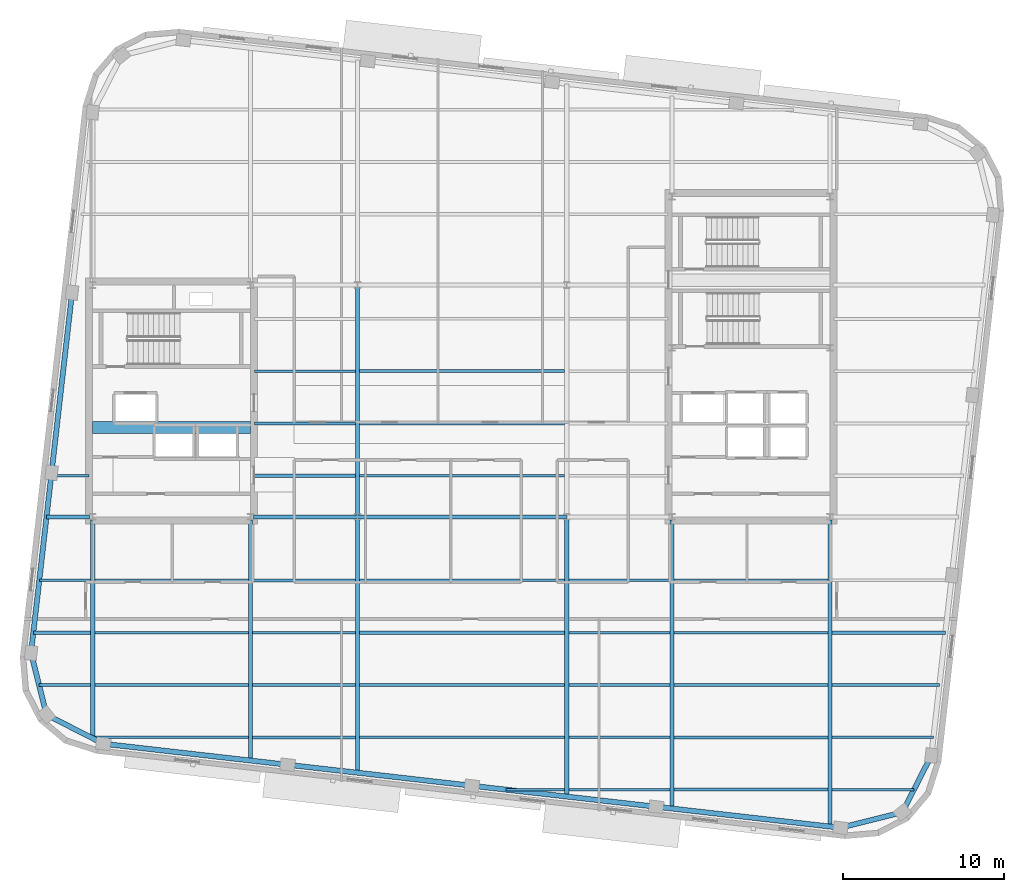
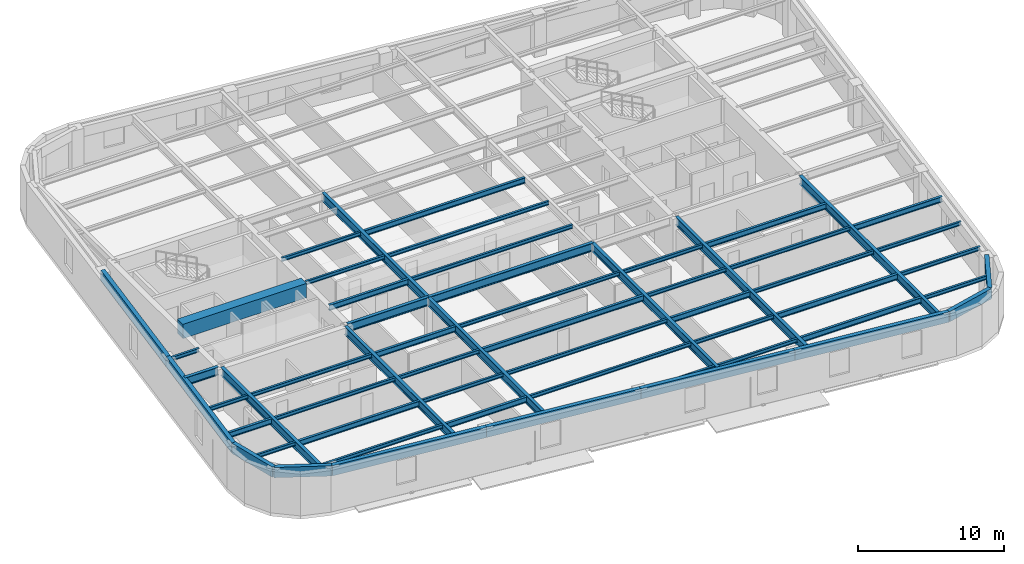
# One storey, part 3 of 13: 58 beams.
"""IFC4 building model written with IfcOpenShell, lengths in metres."""

from ifc_helpers import new_model, si_unit, direction, frame, origin, origin_2d, place, context, subcontext, project, spatial, rectangle, hollow_rectangle, i_section, extrude, material, material_profile, profile_set, type_object, element, save


model = new_model("IFC4")

# Units and contexts
model_context = context("Model", 3, precision=1e-05, world=origin(), true_north=direction((0.0, 1.0)))
body_context = subcontext(model_context, "Body", "Model", "MODEL_VIEW")
ifc_project = project(units=[si_unit("LENGTHUNIT", "METRE"), si_unit("AREAUNIT", "SQUARE_METRE"), si_unit("VOLUMEUNIT", "CUBIC_METRE"), si_unit("PLANEANGLEUNIT", "RADIAN"), si_unit("MASSUNIT", "GRAM", prefix="KILO")], contexts=[model_context])

# Site, building, storey
site_placement = place(None, origin())
site = spatial("IfcSite", under=ifc_project, at=site_placement, CompositionType="ELEMENT")
building_placement = place(site_placement, origin())
building = spatial("IfcBuilding", under=site, at=building_placement, Name="Kolvaren Arena Tower", CompositionType="ELEMENT")
storey_placement = place(building_placement, frame((0.0, 0.0, 243.449951171875)))
storey = spatial("IfcBuildingStorey", under=building, at=storey_placement, Name="L59", CompositionType="ELEMENT", Elevation=243.449951171875)

# Beams
ifc_material_1 = material(Name="Steel CSA G40.21 350W", Category="steel")
ifc_material_profile_1 = material_profile(ifc_material_1, i_section(OverallWidth=0.193115234375, OverallDepth=0.462890625, WebThickness=0.0107421875, FlangeThickness=0.0205078125, FilletRadius=0.012939453125, at=origin_2d()), Name="W460x113")
ifc_profile_set_1 = profile_set([ifc_material_profile_1], Name="Steel CSA G40.21 350W")
beam_type_1 = type_object("IfcBeamType", Name="BEAM-F2", PredefinedType="BEAM", material=ifc_profile_set_1)
beam_1_placement = place(storey_placement, frame((50.677490234375, 2.5, 3.24853515625), z_axis=(1.0, 0.0, 0.0), x_axis=(0.0, 1.0, 0.0)))
element("IfcBeam", 1, at=beam_1_placement, inside=storey, type_object=beam_type_1, Name="Composite Floor Beam (L59)", PredefinedType="BEAM", context=body_context, shape_type="SweptSolid", body=[
    extrude(i_section(OverallWidth=0.193115234375, OverallDepth=0.462890625, WebThickness=0.0107421875, FlangeThickness=0.0205078125, FilletRadius=0.012939453125, at=origin_2d()), origin(), (0.0, 0.0, 1.0), 9.544921875),
])
beam_2_placement = place(storey_placement, frame((24.4775390625, 5.75, 3.24853515625), z_axis=(1.0, 0.0, 0.0), x_axis=(0.0, 1.0, 0.0)))
element("IfcBeam", 2, at=beam_2_placement, inside=storey, type_object=beam_type_1, Name="Composite Floor Beam (L59)", PredefinedType="BEAM", context=body_context, shape_type="SweptSolid", body=[
    extrude(i_section(OverallWidth=0.193115234375, OverallDepth=0.462890625, WebThickness=0.0107421875, FlangeThickness=0.0205078125, FilletRadius=0.012939453125, at=origin_2d()), origin(), (0.0, 0.0, 1.0), 6.39501953125),
])
for number, where, z_axis, x_axis, name in (
    (3, (50.677490234375, 5.75, 3.24853515625), (1.0, 0.0, 0.0), (0.0, 1.0, 0.0), "Composite Floor Beam (L59)"),
    (4, (14.677490234375, 9.0, 3.24853515625), (1.0, 0.0, 0.0), (0.0, 1.0, 0.0), "Composite Floor Beam (L59)"),
):
    element("IfcBeam", number, at=place(storey_placement, frame(where, z_axis=z_axis, x_axis=x_axis)), inside=storey, type_object=beam_type_1, Name=name, PredefinedType="BEAM", context=body_context, shape_type="SweptSolid", body=[
        extrude(i_section(OverallWidth=0.193115234375, OverallDepth=0.462890625, WebThickness=0.0107421875, FlangeThickness=0.0205078125, FilletRadius=0.012939453125, at=origin_2d()), origin(), (0.0, 0.0, 1.0), 9.544921875),
    ])
beam_3_placement = place(storey_placement, frame((44.12744140625, 9.0, 3.24853515625), z_axis=(1.0, 0.0, 0.0), x_axis=(0.0, 1.0, 0.0)))
element("IfcBeam", 5, at=beam_3_placement, inside=storey, type_object=beam_type_1, Name="Composite Floor Beam (L59)", PredefinedType="BEAM", context=body_context, shape_type="SweptSolid", body=[
    extrude(i_section(OverallWidth=0.193115234375, OverallDepth=0.462890625, WebThickness=0.0107421875, FlangeThickness=0.0205078125, FilletRadius=0.012939453125, at=origin_2d()), origin(), (0.0, 0.0, 1.0), 6.295166015625),
])
beam_4_placement = place(storey_placement, frame((10.86083984375, 12.25, 3.24853515625), z_axis=(1.0, 0.0, 0.0), x_axis=(0.0, 1.0, 0.0)))
element("IfcBeam", 6, at=beam_4_placement, inside=storey, type_object=beam_type_1, Name="Composite Floor Beam (L59)", PredefinedType="BEAM", context=body_context, shape_type="SweptSolid", body=[
    extrude(i_section(OverallWidth=0.193115234375, OverallDepth=0.462890625, WebThickness=0.0107421875, FlangeThickness=0.0205078125, FilletRadius=0.012939453125, at=origin_2d()), origin(), (0.0, 0.0, 1.0), 3.561767578125),
])
beam_5_placement = place(storey_placement, frame((31.12744140625, 12.25, 3.24853515625), z_axis=(1.0, 0.0, 0.0), x_axis=(0.0, 1.0, 0.0)))
element("IfcBeam", 7, at=beam_5_placement, inside=storey, type_object=beam_type_1, Name="Composite Floor Beam (L59)", PredefinedType="BEAM", context=body_context, shape_type="SweptSolid", body=[
    extrude(i_section(OverallWidth=0.193115234375, OverallDepth=0.462890625, WebThickness=0.0107421875, FlangeThickness=0.0205078125, FilletRadius=0.012939453125, at=origin_2d()), origin(), (0.0, 0.0, 1.0), 12.7451171875),
])
beam_6_placement = place(storey_placement, frame((60.4775390625, 12.25, 3.24853515625), z_axis=(1.0, 0.0, 0.0), x_axis=(0.0, 1.0, 0.0)))
element("IfcBeam", 8, at=beam_6_placement, inside=storey, type_object=beam_type_1, Name="Composite Floor Beam (L59)", PredefinedType="BEAM", context=body_context, shape_type="SweptSolid", body=[
    extrude(i_section(OverallWidth=0.193115234375, OverallDepth=0.462890625, WebThickness=0.0107421875, FlangeThickness=0.0205078125, FilletRadius=0.012939453125, at=origin_2d()), origin(), (0.0, 0.0, 1.0), 7.04736328125),
])
beam_7_placement = place(storey_placement, frame((24.4775390625, 15.5, 3.24853515625), z_axis=(1.0, 0.0, 0.0), x_axis=(0.0, 1.0, 0.0)))
element("IfcBeam", 9, at=beam_7_placement, inside=storey, type_object=beam_type_1, Name="Composite Floor Beam (L59)", PredefinedType="BEAM", context=body_context, shape_type="SweptSolid", body=[
    extrude(i_section(OverallWidth=0.193115234375, OverallDepth=0.462890625, WebThickness=0.0107421875, FlangeThickness=0.0205078125, FilletRadius=0.012939453125, at=origin_2d()), origin(), (0.0, 0.0, 1.0), 6.39501953125),
])
beam_8_placement = place(storey_placement, frame((50.677490234375, 15.5, 3.24853515625), z_axis=(1.0, 0.0, 0.0), x_axis=(0.0, 1.0, 0.0)))
element("IfcBeam", 10, at=beam_8_placement, inside=storey, type_object=beam_type_1, Name="Composite Floor Beam (L59)", PredefinedType="BEAM", context=body_context, shape_type="SweptSolid", body=[
    extrude(i_section(OverallWidth=0.193115234375, OverallDepth=0.462890625, WebThickness=0.0107421875, FlangeThickness=0.0205078125, FilletRadius=0.012939453125, at=origin_2d()), origin(), (0.0, 0.0, 1.0), 9.544921875),
])
beam_9_placement = place(storey_placement, frame((24.594970703125, 22.0, 3.24853515625), z_axis=(1.0, 0.0, 0.0), x_axis=(0.0, 1.0, 0.0)))
element("IfcBeam", 11, at=beam_9_placement, inside=storey, type_object=beam_type_1, Name="Composite Floor Beam (L59)", PredefinedType="BEAM", context=body_context, shape_type="SweptSolid", body=[
    extrude(i_section(OverallWidth=0.193115234375, OverallDepth=0.462890625, WebThickness=0.0107421875, FlangeThickness=0.0205078125, FilletRadius=0.012939453125, at=origin_2d()), origin(), (0.0, 0.0, 1.0), 6.277587890625),
])
beam_10_placement = place(storey_placement, frame((31.12744140625, 28.5, 3.24853515625), z_axis=(1.0, 0.0, 0.0), x_axis=(0.0, 1.0, 0.0)))
element("IfcBeam", 12, at=beam_10_placement, inside=storey, type_object=beam_type_1, Name="Composite Floor Beam (L59)", PredefinedType="BEAM", context=body_context, shape_type="SweptSolid", body=[
    extrude(i_section(OverallWidth=0.193115234375, OverallDepth=0.462890625, WebThickness=0.0107421875, FlangeThickness=0.0205078125, FilletRadius=0.012939453125, at=origin_2d()), origin(), (0.0, 0.0, 1.0), 12.7451171875),
])
ifc_material_2 = material(Name="Concrete 60 MPa", Category="concrete")
ifc_material_profile_2 = material_profile(ifc_material_2, rectangle(XDim=0.75, YDim=1.199951171875, at=origin_2d()), Name="RC-750x1200")
ifc_profile_set_2 = profile_set([ifc_material_profile_2], Name="Concrete 60 MPa")
beam_type_2 = type_object("IfcBeamType", Name="CB-CORE-2", PredefinedType="BEAM", material=ifc_profile_set_2)
beam_11_placement = place(storey_placement, frame((14.550048828125, 25.0, 3.150146484375), z_axis=(1.0, 0.0, 0.0), x_axis=(0.0, 1.0, 0.0)))
element("IfcBeam", 13, at=beam_11_placement, inside=storey, type_object=beam_type_2, Name="West Core Coupling Beam (L59)", PredefinedType="BEAM", context=body_context, shape_type="SweptSolid", body=[
    extrude(rectangle(XDim=0.75, YDim=1.199951171875, at=origin_2d()), origin(), (0.0, 0.0, 1.0), 9.800048828125),
])
ifc_material_profile_3 = material_profile(ifc_material_1, i_section(OverallWidth=0.2548828125, OverallDepth=0.695068359375, WebThickness=0.01708984375, FlangeThickness=0.02978515625, FilletRadius=0.01611328125, at=origin_2d()), Name="W690x217")
ifc_profile_set_3 = profile_set([ifc_material_profile_3], Name="Steel CSA G40.21 350W")
beam_type_3 = type_object("IfcBeamType", Name="GIRD-T2", PredefinedType="BEAM", material=ifc_profile_set_3)
beam_12_placement = place(storey_placement, frame((11.68115234375, 19.449951171875, 3.132568359375), z_axis=(1.0, 0.0, 0.0), x_axis=(0.0, 1.0, 0.0)))
element("IfcBeam", 14, at=beam_12_placement, inside=storey, type_object=beam_type_3, Name="Primary Floor Girder (L59)", PredefinedType="BEAM", context=body_context, shape_type="SweptSolid", body=[
    extrude(i_section(OverallWidth=0.2548828125, OverallDepth=0.695068359375, WebThickness=0.01708984375, FlangeThickness=0.02978515625, FilletRadius=0.01611328125, at=origin_2d()), origin(), (0.0, 0.0, 1.0), 2.663818359375),
])
beam_13_placement = place(storey_placement, frame((24.554931640625, 19.449951171875, 3.132568359375), z_axis=(1.0, 0.0, 0.0), x_axis=(0.0, 1.0, 0.0)))
element("IfcBeam", 15, at=beam_13_placement, inside=storey, type_object=beam_type_3, Name="Primary Floor Girder (L59)", PredefinedType="BEAM", context=body_context, shape_type="SweptSolid", body=[
    extrude(i_section(OverallWidth=0.2548828125, OverallDepth=0.695068359375, WebThickness=0.01708984375, FlangeThickness=0.02978515625, FilletRadius=0.01611328125, at=origin_2d()), origin(), (0.0, 0.0, 1.0), 6.445068359375),
])
beam_14_placement = place(storey_placement, frame((31.0, 19.449951171875, 3.132568359375), z_axis=(1.0, 0.0, 0.0), x_axis=(0.0, 1.0, 0.0)))
element("IfcBeam", 16, at=beam_14_placement, inside=storey, type_object=beam_type_3, Name="Primary Floor Girder (L59)", PredefinedType="BEAM", context=body_context, shape_type="SweptSolid", body=[
    extrude(i_section(OverallWidth=0.2548828125, OverallDepth=0.695068359375, WebThickness=0.01708984375, FlangeThickness=0.02978515625, FilletRadius=0.01611328125, at=origin_2d()), origin(), (0.0, 0.0, 1.0), 13.0),
])
beam_15_placement = place(storey_placement, frame((14.550048828125, 5.686767578125, 3.132568359375), z_axis=(0.0, 1.0, 0.0), x_axis=(-1.0, 0.0, 0.0)))
element("IfcBeam", 17, at=beam_15_placement, inside=storey, type_object=beam_type_3, Name="Primary Floor Girder (L59)", PredefinedType="BEAM", context=body_context, shape_type="SweptSolid", body=[
    extrude(i_section(OverallWidth=0.2548828125, OverallDepth=0.695068359375, WebThickness=0.01708984375, FlangeThickness=0.02978515625, FilletRadius=0.01611328125, at=origin_2d()), origin(), (0.0, 0.0, 1.0), 13.558349609375),
])
beam_16_placement = place(storey_placement, frame((24.35009765625, 4.30908203125, 3.132568359375), z_axis=(0.0, 1.0, 0.0), x_axis=(-1.0, 0.0, 0.0)))
element("IfcBeam", 18, at=beam_16_placement, inside=storey, type_object=beam_type_3, Name="Primary Floor Girder (L59)", PredefinedType="BEAM", context=body_context, shape_type="SweptSolid", body=[
    extrude(i_section(OverallWidth=0.2548828125, OverallDepth=0.695068359375, WebThickness=0.01708984375, FlangeThickness=0.02978515625, FilletRadius=0.01611328125, at=origin_2d()), origin(), (0.0, 0.0, 1.0), 14.93603515625),
])
beam_17_placement = place(storey_placement, frame((31.0, 3.551513671875, 3.132568359375), z_axis=(0.0, 1.0, 0.0), x_axis=(-1.0, 0.0, 0.0)))
element("IfcBeam", 19, at=beam_17_placement, inside=storey, type_object=beam_type_3, Name="Primary Floor Girder (L59)", PredefinedType="BEAM", context=body_context, shape_type="SweptSolid", body=[
    extrude(i_section(OverallWidth=0.2548828125, OverallDepth=0.695068359375, WebThickness=0.01708984375, FlangeThickness=0.02978515625, FilletRadius=0.01611328125, at=origin_2d()), origin(), (0.0, 0.0, 1.0), 15.8984375),
])
beam_18_placement = place(storey_placement, frame((31.0, 19.449951171875, 3.132568359375), z_axis=(0.0, 1.0, 0.0), x_axis=(-1.0, 0.0, 0.0)))
element("IfcBeam", 20, at=beam_18_placement, inside=storey, type_object=beam_type_3, Name="Primary Floor Girder (L59)", PredefinedType="BEAM", context=body_context, shape_type="SweptSolid", body=[
    extrude(i_section(OverallWidth=0.2548828125, OverallDepth=0.695068359375, WebThickness=0.01708984375, FlangeThickness=0.02978515625, FilletRadius=0.01611328125, at=origin_2d()), origin(), (0.0, 0.0, 1.0), 14.400146484375),
])
beam_19_placement = place(storey_placement, frame((44.0, 2.0703125, 3.132568359375), z_axis=(0.0, 1.0, 0.0), x_axis=(-1.0, 0.0, 0.0)))
element("IfcBeam", 21, at=beam_19_placement, inside=storey, type_object=beam_type_3, Name="Primary Floor Girder (L59)", PredefinedType="BEAM", context=body_context, shape_type="SweptSolid", body=[
    extrude(i_section(OverallWidth=0.2548828125, OverallDepth=0.695068359375, WebThickness=0.01708984375, FlangeThickness=0.02978515625, FilletRadius=0.01611328125, at=origin_2d()), origin(), (0.0, 0.0, 1.0), 17.379638671875),
])
beam_20_placement = place(storey_placement, frame((50.550048828125, 1.323974609375, 3.132568359375), z_axis=(0.0, 1.0, 0.0), x_axis=(-1.0, 0.0, 0.0)))
element("IfcBeam", 22, at=beam_20_placement, inside=storey, type_object=beam_type_3, Name="Primary Floor Girder (L59)", PredefinedType="BEAM", context=body_context, shape_type="SweptSolid", body=[
    extrude(i_section(OverallWidth=0.2548828125, OverallDepth=0.695068359375, WebThickness=0.01708984375, FlangeThickness=0.02978515625, FilletRadius=0.01611328125, at=origin_2d()), origin(), (0.0, 0.0, 1.0), 17.921142578125),
])
beam_21_placement = place(storey_placement, frame((60.35009765625, 0.20751953125, 3.132568359375), z_axis=(0.0, 1.0, 0.0), x_axis=(-1.0, 0.0, 0.0)))
element("IfcBeam", 23, at=beam_21_placement, inside=storey, type_object=beam_type_3, Name="Primary Floor Girder (L59)", PredefinedType="BEAM", context=body_context, shape_type="SweptSolid", body=[
    extrude(i_section(OverallWidth=0.2548828125, OverallDepth=0.695068359375, WebThickness=0.01708984375, FlangeThickness=0.02978515625, FilletRadius=0.01611328125, at=origin_2d()), origin(), (0.0, 0.0, 1.0), 19.03759765625),
])
ifc_material_profile_4 = material_profile(ifc_material_1, i_section(OverallWidth=0.1669921875, OverallDepth=0.31689453125, WebThickness=0.007568359375, FlangeThickness=0.01318359375, FilletRadius=0.010009765625, at=origin_2d()), Name="W310x52")
ifc_profile_set_4 = profile_set([ifc_material_profile_4], Name="Steel CSA G40.21 350W")
beam_type_4 = type_object("IfcBeamType", Name="JOIST-02", PredefinedType="JOIST", material=ifc_profile_set_4)
beam_22_placement = place(storey_placement, frame((40.228271484375, 2.5, 3.321533203125), z_axis=(1.0, 0.0, 0.0), x_axis=(0.0, 1.0, 0.0)))
element("IfcBeam", 24, at=beam_22_placement, inside=storey, type_object=beam_type_4, Name="Composite Floor Joist (L59)", PredefinedType="JOIST", context=body_context, shape_type="SweptSolid", body=[
    extrude(i_section(OverallWidth=0.1669921875, OverallDepth=0.31689453125, WebThickness=0.007568359375, FlangeThickness=0.01318359375, FilletRadius=0.010009765625, at=origin_2d()), origin(), (0.0, 0.0, 1.0), 3.644287109375),
])
beam_23_placement = place(storey_placement, frame((44.12744140625, 2.5, 3.321533203125), z_axis=(1.0, 0.0, 0.0), x_axis=(0.0, 1.0, 0.0)))
element("IfcBeam", 25, at=beam_23_placement, inside=storey, type_object=beam_type_4, Name="Composite Floor Joist (L59)", PredefinedType="JOIST", context=body_context, shape_type="SweptSolid", body=[
    extrude(i_section(OverallWidth=0.1669921875, OverallDepth=0.31689453125, WebThickness=0.007568359375, FlangeThickness=0.01318359375, FilletRadius=0.010009765625, at=origin_2d()), origin(), (0.0, 0.0, 1.0), 6.295166015625),
])
beam_24_placement = place(storey_placement, frame((60.4775390625, 2.5, 3.321533203125), z_axis=(1.0, 0.0, 0.0), x_axis=(0.0, 1.0, 0.0)))
element("IfcBeam", 26, at=beam_24_placement, inside=storey, type_object=beam_type_4, Name="Composite Floor Joist (L59)", PredefinedType="JOIST", context=body_context, shape_type="SweptSolid", body=[
    extrude(i_section(OverallWidth=0.1669921875, OverallDepth=0.31689453125, WebThickness=0.007568359375, FlangeThickness=0.01318359375, FilletRadius=0.010009765625, at=origin_2d()), origin(), (0.0, 0.0, 1.0), 5.09423828125),
])
beam_25_placement = place(storey_placement, frame((14.42626953125, 5.75, 3.321533203125), z_axis=(1.0, 0.0, 0.0), x_axis=(0.0, 1.0, 0.0)))
element("IfcBeam", 27, at=beam_25_placement, inside=storey, type_object=beam_type_4, Name="Composite Floor Joist (L59)", PredefinedType="JOIST", context=body_context, shape_type="SweptSolid", body=[
    extrude(i_section(OverallWidth=0.1669921875, OverallDepth=0.31689453125, WebThickness=0.007568359375, FlangeThickness=0.01318359375, FilletRadius=0.010009765625, at=origin_2d()), origin(), (0.0, 0.0, 1.0), 9.796142578125),
])
beam_26_placement = place(storey_placement, frame((31.12744140625, 5.75, 3.321533203125), z_axis=(1.0, 0.0, 0.0), x_axis=(0.0, 1.0, 0.0)))
element("IfcBeam", 28, at=beam_26_placement, inside=storey, type_object=beam_type_4, Name="Composite Floor Joist (L59)", PredefinedType="JOIST", context=body_context, shape_type="SweptSolid", body=[
    extrude(i_section(OverallWidth=0.1669921875, OverallDepth=0.31689453125, WebThickness=0.007568359375, FlangeThickness=0.01318359375, FilletRadius=0.010009765625, at=origin_2d()), origin(), (0.0, 0.0, 1.0), 12.7451171875),
])
beam_27_placement = place(storey_placement, frame((44.12744140625, 5.75, 3.321533203125), z_axis=(1.0, 0.0, 0.0), x_axis=(0.0, 1.0, 0.0)))
element("IfcBeam", 29, at=beam_27_placement, inside=storey, type_object=beam_type_4, Name="Composite Floor Joist (L59)", PredefinedType="JOIST", context=body_context, shape_type="SweptSolid", body=[
    extrude(i_section(OverallWidth=0.1669921875, OverallDepth=0.31689453125, WebThickness=0.007568359375, FlangeThickness=0.01318359375, FilletRadius=0.010009765625, at=origin_2d()), origin(), (0.0, 0.0, 1.0), 6.295166015625),
])
beam_28_placement = place(storey_placement, frame((60.4775390625, 5.75, 3.321533203125), z_axis=(1.0, 0.0, 0.0), x_axis=(0.0, 1.0, 0.0)))
element("IfcBeam", 30, at=beam_28_placement, inside=storey, type_object=beam_type_4, Name="Composite Floor Joist (L59)", PredefinedType="JOIST", context=body_context, shape_type="SweptSolid", body=[
    extrude(i_section(OverallWidth=0.1669921875, OverallDepth=0.31689453125, WebThickness=0.007568359375, FlangeThickness=0.01318359375, FilletRadius=0.010009765625, at=origin_2d()), origin(), (0.0, 0.0, 1.0), 6.306884765625),
])
beam_29_placement = place(storey_placement, frame((11.217529296875, 9.0, 3.321533203125), z_axis=(1.0, 0.0, 0.0), x_axis=(0.0, 1.0, 0.0)))
element("IfcBeam", 31, at=beam_29_placement, inside=storey, type_object=beam_type_4, Name="Composite Floor Joist (L59)", PredefinedType="JOIST", context=body_context, shape_type="SweptSolid", body=[
    extrude(i_section(OverallWidth=0.1669921875, OverallDepth=0.31689453125, WebThickness=0.007568359375, FlangeThickness=0.01318359375, FilletRadius=0.010009765625, at=origin_2d()), origin(), (0.0, 0.0, 1.0), 3.205078125),
])
beam_30_placement = place(storey_placement, frame((24.4775390625, 9.0, 3.321533203125), z_axis=(1.0, 0.0, 0.0), x_axis=(0.0, 1.0, 0.0)))
element("IfcBeam", 32, at=beam_30_placement, inside=storey, type_object=beam_type_4, Name="Composite Floor Joist (L59)", PredefinedType="JOIST", context=body_context, shape_type="SweptSolid", body=[
    extrude(i_section(OverallWidth=0.1669921875, OverallDepth=0.31689453125, WebThickness=0.007568359375, FlangeThickness=0.01318359375, FilletRadius=0.010009765625, at=origin_2d()), origin(), (0.0, 0.0, 1.0), 6.39501953125),
])
beam_31_placement = place(storey_placement, frame((31.12744140625, 9.0, 3.321533203125), z_axis=(1.0, 0.0, 0.0), x_axis=(0.0, 1.0, 0.0)))
element("IfcBeam", 33, at=beam_31_placement, inside=storey, type_object=beam_type_4, Name="Composite Floor Joist (L59)", PredefinedType="JOIST", context=body_context, shape_type="SweptSolid", body=[
    extrude(i_section(OverallWidth=0.1669921875, OverallDepth=0.31689453125, WebThickness=0.007568359375, FlangeThickness=0.01318359375, FilletRadius=0.010009765625, at=origin_2d()), origin(), (0.0, 0.0, 1.0), 12.7451171875),
])
beam_32_placement = place(storey_placement, frame((50.677490234375, 9.0, 3.321533203125), z_axis=(1.0, 0.0, 0.0), x_axis=(0.0, 1.0, 0.0)))
element("IfcBeam", 34, at=beam_32_placement, inside=storey, type_object=beam_type_4, Name="Composite Floor Joist (L59)", PredefinedType="JOIST", context=body_context, shape_type="SweptSolid", body=[
    extrude(i_section(OverallWidth=0.1669921875, OverallDepth=0.31689453125, WebThickness=0.007568359375, FlangeThickness=0.01318359375, FilletRadius=0.010009765625, at=origin_2d()), origin(), (0.0, 0.0, 1.0), 9.544921875),
])
beam_33_placement = place(storey_placement, frame((60.4775390625, 9.0, 3.321533203125), z_axis=(1.0, 0.0, 0.0), x_axis=(0.0, 1.0, 0.0)))
element("IfcBeam", 35, at=beam_33_placement, inside=storey, type_object=beam_type_4, Name="Composite Floor Joist (L59)", PredefinedType="JOIST", context=body_context, shape_type="SweptSolid", body=[
    extrude(i_section(OverallWidth=0.1669921875, OverallDepth=0.31689453125, WebThickness=0.007568359375, FlangeThickness=0.01318359375, FilletRadius=0.010009765625, at=origin_2d()), origin(), (0.0, 0.0, 1.0), 6.67724609375),
])
beam_34_placement = place(storey_placement, frame((14.677490234375, 12.25, 3.321533203125), z_axis=(1.0, 0.0, 0.0), x_axis=(0.0, 1.0, 0.0)))
element("IfcBeam", 36, at=beam_34_placement, inside=storey, type_object=beam_type_4, Name="Composite Floor Joist (L59)", PredefinedType="JOIST", context=body_context, shape_type="SweptSolid", body=[
    extrude(i_section(OverallWidth=0.1669921875, OverallDepth=0.31689453125, WebThickness=0.007568359375, FlangeThickness=0.01318359375, FilletRadius=0.010009765625, at=origin_2d()), origin(), (0.0, 0.0, 1.0), 9.544921875),
])
beam_35_placement = place(storey_placement, frame((24.4775390625, 12.25, 3.321533203125), z_axis=(1.0, 0.0, 0.0), x_axis=(0.0, 1.0, 0.0)))
element("IfcBeam", 37, at=beam_35_placement, inside=storey, type_object=beam_type_4, Name="Composite Floor Joist (L59)", PredefinedType="JOIST", context=body_context, shape_type="SweptSolid", body=[
    extrude(i_section(OverallWidth=0.1669921875, OverallDepth=0.31689453125, WebThickness=0.007568359375, FlangeThickness=0.01318359375, FilletRadius=0.010009765625, at=origin_2d()), origin(), (0.0, 0.0, 1.0), 6.39501953125),
])
beam_36_placement = place(storey_placement, frame((44.12744140625, 12.25, 3.321533203125), z_axis=(1.0, 0.0, 0.0), x_axis=(0.0, 1.0, 0.0)))
element("IfcBeam", 38, at=beam_36_placement, inside=storey, type_object=beam_type_4, Name="Composite Floor Joist (L59)", PredefinedType="JOIST", context=body_context, shape_type="SweptSolid", body=[
    extrude(i_section(OverallWidth=0.1669921875, OverallDepth=0.31689453125, WebThickness=0.007568359375, FlangeThickness=0.01318359375, FilletRadius=0.010009765625, at=origin_2d()), origin(), (0.0, 0.0, 1.0), 6.295166015625),
])
beam_37_placement = place(storey_placement, frame((50.677490234375, 12.25, 3.321533203125), z_axis=(1.0, 0.0, 0.0), x_axis=(0.0, 1.0, 0.0)))
element("IfcBeam", 39, at=beam_37_placement, inside=storey, type_object=beam_type_4, Name="Composite Floor Joist (L59)", PredefinedType="JOIST", context=body_context, shape_type="SweptSolid", body=[
    extrude(i_section(OverallWidth=0.1669921875, OverallDepth=0.31689453125, WebThickness=0.007568359375, FlangeThickness=0.01318359375, FilletRadius=0.010009765625, at=origin_2d()), origin(), (0.0, 0.0, 1.0), 9.544921875),
])
beam_38_placement = place(storey_placement, frame((11.23095703125, 15.5, 3.321533203125), z_axis=(1.0, 0.0, 0.0), x_axis=(0.0, 1.0, 0.0)))
element("IfcBeam", 40, at=beam_38_placement, inside=storey, type_object=beam_type_4, Name="Composite Floor Joist (L59)", PredefinedType="JOIST", context=body_context, shape_type="SweptSolid", body=[
    extrude(i_section(OverallWidth=0.1669921875, OverallDepth=0.31689453125, WebThickness=0.007568359375, FlangeThickness=0.01318359375, FilletRadius=0.010009765625, at=origin_2d()), origin(), (0.0, 0.0, 1.0), 3.191650390625),
])
beam_39_placement = place(storey_placement, frame((14.677490234375, 15.5, 3.321533203125), z_axis=(1.0, 0.0, 0.0), x_axis=(0.0, 1.0, 0.0)))
element("IfcBeam", 41, at=beam_39_placement, inside=storey, type_object=beam_type_4, Name="Composite Floor Joist (L59)", PredefinedType="JOIST", context=body_context, shape_type="SweptSolid", body=[
    extrude(i_section(OverallWidth=0.1669921875, OverallDepth=0.31689453125, WebThickness=0.007568359375, FlangeThickness=0.01318359375, FilletRadius=0.010009765625, at=origin_2d()), origin(), (0.0, 0.0, 1.0), 9.544921875),
])
beam_40_placement = place(storey_placement, frame((31.12744140625, 15.5, 3.321533203125), z_axis=(1.0, 0.0, 0.0), x_axis=(0.0, 1.0, 0.0)))
element("IfcBeam", 42, at=beam_40_placement, inside=storey, type_object=beam_type_4, Name="Composite Floor Joist (L59)", PredefinedType="JOIST", context=body_context, shape_type="SweptSolid", body=[
    extrude(i_section(OverallWidth=0.1669921875, OverallDepth=0.31689453125, WebThickness=0.007568359375, FlangeThickness=0.01318359375, FilletRadius=0.010009765625, at=origin_2d()), origin(), (0.0, 0.0, 1.0), 12.7451171875),
])
beam_41_placement = place(storey_placement, frame((44.12744140625, 15.5, 3.321533203125), z_axis=(1.0, 0.0, 0.0), x_axis=(0.0, 1.0, 0.0)))
element("IfcBeam", 43, at=beam_41_placement, inside=storey, type_object=beam_type_4, Name="Composite Floor Joist (L59)", PredefinedType="JOIST", context=body_context, shape_type="SweptSolid", body=[
    extrude(i_section(OverallWidth=0.1669921875, OverallDepth=0.31689453125, WebThickness=0.007568359375, FlangeThickness=0.01318359375, FilletRadius=0.010009765625, at=origin_2d()), origin(), (0.0, 0.0, 1.0), 6.295166015625),
])
beam_42_placement = place(storey_placement, frame((11.9716796875, 22.0, 3.321533203125), z_axis=(1.0, 0.0, 0.0), x_axis=(0.0, 1.0, 0.0)))
element("IfcBeam", 44, at=beam_42_placement, inside=storey, type_object=beam_type_4, Name="Composite Floor Joist (L59)", PredefinedType="JOIST", context=body_context, shape_type="SweptSolid", body=[
    extrude(i_section(OverallWidth=0.1669921875, OverallDepth=0.31689453125, WebThickness=0.007568359375, FlangeThickness=0.01318359375, FilletRadius=0.010009765625, at=origin_2d()), origin(), (0.0, 0.0, 1.0), 2.333251953125),
])
beam_43_placement = place(storey_placement, frame((31.12744140625, 22.0, 3.321533203125), z_axis=(1.0, 0.0, 0.0), x_axis=(0.0, 1.0, 0.0)))
element("IfcBeam", 45, at=beam_43_placement, inside=storey, type_object=beam_type_4, Name="Composite Floor Joist (L59)", PredefinedType="JOIST", context=body_context, shape_type="SweptSolid", body=[
    extrude(i_section(OverallWidth=0.1669921875, OverallDepth=0.31689453125, WebThickness=0.007568359375, FlangeThickness=0.01318359375, FilletRadius=0.010009765625, at=origin_2d()), origin(), (0.0, 0.0, 1.0), 12.7451171875),
])
beam_44_placement = place(storey_placement, frame((24.594970703125, 25.25, 3.321533203125), z_axis=(1.0, 0.0, 0.0), x_axis=(0.0, 1.0, 0.0)))
element("IfcBeam", 46, at=beam_44_placement, inside=storey, type_object=beam_type_4, Name="Composite Floor Joist (L59)", PredefinedType="JOIST", context=body_context, shape_type="SweptSolid", body=[
    extrude(i_section(OverallWidth=0.1669921875, OverallDepth=0.31689453125, WebThickness=0.007568359375, FlangeThickness=0.01318359375, FilletRadius=0.010009765625, at=origin_2d()), origin(), (0.0, 0.0, 1.0), 6.277587890625),
])
beam_45_placement = place(storey_placement, frame((31.12744140625, 25.25, 3.321533203125), z_axis=(1.0, 0.0, 0.0), x_axis=(0.0, 1.0, 0.0)))
element("IfcBeam", 47, at=beam_45_placement, inside=storey, type_object=beam_type_4, Name="Composite Floor Joist (L59)", PredefinedType="JOIST", context=body_context, shape_type="SweptSolid", body=[
    extrude(i_section(OverallWidth=0.1669921875, OverallDepth=0.31689453125, WebThickness=0.007568359375, FlangeThickness=0.01318359375, FilletRadius=0.010009765625, at=origin_2d()), origin(), (0.0, 0.0, 1.0), 12.7451171875),
])
beam_46_placement = place(storey_placement, frame((24.594970703125, 28.5, 3.321533203125), z_axis=(1.0, 0.0, 0.0), x_axis=(0.0, 1.0, 0.0)))
element("IfcBeam", 48, at=beam_46_placement, inside=storey, type_object=beam_type_4, Name="Composite Floor Joist (L59)", PredefinedType="JOIST", context=body_context, shape_type="SweptSolid", body=[
    extrude(i_section(OverallWidth=0.1669921875, OverallDepth=0.31689453125, WebThickness=0.007568359375, FlangeThickness=0.01318359375, FilletRadius=0.010009765625, at=origin_2d()), origin(), (0.0, 0.0, 1.0), 6.277587890625),
])
ifc_material_3 = material(Name="Steel CSA G40.21 350WT", Category="steel")
ifc_material_profile_5 = material_profile(ifc_material_3, hollow_rectangle(XDim=0.320068359375, YDim=0.860107421875, WallThickness=0.01806640625, at=origin_2d()), Name="HSS 860x320x18")
ifc_profile_set_5 = profile_set([ifc_material_profile_5], Name="Steel CSA G40.21 350WT")
beam_type_5 = type_object("IfcBeamType", Name="SPAND-02", PredefinedType="SPANDREL", material=ifc_profile_set_5)
for number, where, z_axis, x_axis, name in (
    (49, (15.207763671875, 5.350830078125, 3.050048828125), (0.99357166944, -0.113204848336, 0.0), (0.113204848336, 0.99357166944, 0.0), "Perimeter Spandrel Beam (L59)"),
    (50, (26.65869140625, 4.046142578125, 3.050048828125), (0.99357166944, -0.113204848336, 0.0), (0.113204848336, 0.99357166944, 0.0), "Perimeter Spandrel Beam (L59)"),
):
    element("IfcBeam", number, at=place(storey_placement, frame(where, z_axis=z_axis, x_axis=x_axis)), inside=storey, type_object=beam_type_5, Name=name, PredefinedType="SPANDREL", context=body_context, shape_type="SweptSolid", body=[
        extrude(hollow_rectangle(XDim=0.320068359375, YDim=0.860107421875, WallThickness=0.01806640625, at=origin_2d()), origin(), (0.0, 0.0, 1.0), 11.52490234375),
    ])
beam_47_placement = place(storey_placement, frame((38.109619140625, 2.741455078125, 3.050048828125), z_axis=(0.993571397957, -0.113207231049, 0.0), x_axis=(0.113207231049, 0.993571397957, 0.0)))
element("IfcBeam", 51, at=beam_47_placement, inside=storey, type_object=beam_type_5, Name="Perimeter Spandrel Beam (L59)", PredefinedType="SPANDREL", context=body_context, shape_type="SweptSolid", body=[
    extrude(hollow_rectangle(XDim=0.320068359375, YDim=0.860107421875, WallThickness=0.01806640625, at=origin_2d()), origin(), (0.0, 0.0, 1.0), 11.524658203125),
])
beam_48_placement = place(storey_placement, frame((49.560302734375, 1.436767578125, 3.050048828125), z_axis=(0.993571940905, -0.113202465721, 0.0), x_axis=(0.113202465721, 0.993571940905, 0.0)))
element("IfcBeam", 52, at=beam_48_placement, inside=storey, type_object=beam_type_5, Name="Perimeter Spandrel Beam (L59)", PredefinedType="SPANDREL", context=body_context, shape_type="SweptSolid", body=[
    extrude(hollow_rectangle(XDim=0.320068359375, YDim=0.860107421875, WallThickness=0.01806640625, at=origin_2d()), origin(), (0.0, 0.0, 1.0), 11.525146484375),
])
beam_49_placement = place(storey_placement, frame((61.011474609375, 0.132080078125, 3.050048828125), z_axis=(0.970033632471, 0.242970681103, 0.0), x_axis=(-0.242970681103, 0.970033632471, 0.0)))
element("IfcBeam", 53, at=beam_49_placement, inside=storey, type_object=beam_type_5, Name="Perimeter Spandrel Beam (L59)", PredefinedType="SPANDREL", context=body_context, shape_type="SweptSolid", body=[
    extrude(hollow_rectangle(XDim=0.320068359375, YDim=0.860107421875, WallThickness=0.01806640625, at=origin_2d()), origin(), (0.0, 0.0, 1.0), 3.9609375),
])
beam_50_placement = place(storey_placement, frame((64.853759765625, 1.094482421875, 3.050048828125), z_axis=(0.454962284061, 0.89051070745, 0.0), x_axis=(-0.89051070745, 0.454962284061, 0.0)))
element("IfcBeam", 54, at=beam_50_placement, inside=storey, type_object=beam_type_5, Name="Perimeter Spandrel Beam (L59)", PredefinedType="SPANDREL", context=body_context, shape_type="SweptSolid", body=[
    extrude(hollow_rectangle(XDim=0.320068359375, YDim=0.860107421875, WallThickness=0.01806640625, at=origin_2d()), origin(), (0.0, 0.0, 1.0), 3.96142578125),
])
beam_51_placement = place(storey_placement, frame((13.268798828125, 33.3837890625, 3.050048828125), z_axis=(-0.113220850685, -0.993569846045, 0.0), x_axis=(0.993569846045, -0.113220850685, 0.0)))
element("IfcBeam", 55, at=beam_51_placement, inside=storey, type_object=beam_type_5, Name="Perimeter Spandrel Beam (L59)", PredefinedType="SPANDREL", context=body_context, shape_type="SweptSolid", body=[
    extrude(hollow_rectangle(XDim=0.320068359375, YDim=0.860107421875, WallThickness=0.01806640625, at=origin_2d()), origin(), (0.0, 0.0, 1.0), 11.266845703125),
])
beam_52_placement = place(storey_placement, frame((11.9931640625, 22.189453125, 3.050048828125), z_axis=(-0.113201896536, -0.993572005755, 0.0), x_axis=(0.993572005755, -0.113201896536, 0.0)))
element("IfcBeam", 56, at=beam_52_placement, inside=storey, type_object=beam_type_5, Name="Perimeter Spandrel Beam (L59)", PredefinedType="SPANDREL", context=body_context, shape_type="SweptSolid", body=[
    extrude(hollow_rectangle(XDim=0.320068359375, YDim=0.860107421875, WallThickness=0.01806640625, at=origin_2d()), origin(), (0.0, 0.0, 1.0), 11.2666015625),
])
beam_53_placement = place(storey_placement, frame((10.7177734375, 10.995361328125, 3.050048828125), z_axis=(0.243014148252, -0.970022743934, 0.0), x_axis=(0.970022743934, 0.243014148252, 0.0)))
element("IfcBeam", 57, at=beam_53_placement, inside=storey, type_object=beam_type_5, Name="Perimeter Spandrel Beam (L59)", PredefinedType="SPANDREL", context=body_context, shape_type="SweptSolid", body=[
    extrude(hollow_rectangle(XDim=0.320068359375, YDim=0.860107421875, WallThickness=0.01806640625, at=origin_2d()), origin(), (0.0, 0.0, 1.0), 3.961181640625),
])
beam_54_placement = place(storey_placement, frame((11.680419921875, 7.15283203125, 3.050048828125), z_axis=(0.890522920884, -0.454938377564, 0.0), x_axis=(0.454938377564, 0.890522920884, 0.0)))
element("IfcBeam", 58, at=beam_54_placement, inside=storey, type_object=beam_type_5, Name="Perimeter Spandrel Beam (L59)", PredefinedType="SPANDREL", context=body_context, shape_type="SweptSolid", body=[
    extrude(hollow_rectangle(XDim=0.320068359375, YDim=0.860107421875, WallThickness=0.01806640625, at=origin_2d()), origin(), (0.0, 0.0, 1.0), 3.9609375),
])

save(model, "model.ifc")
